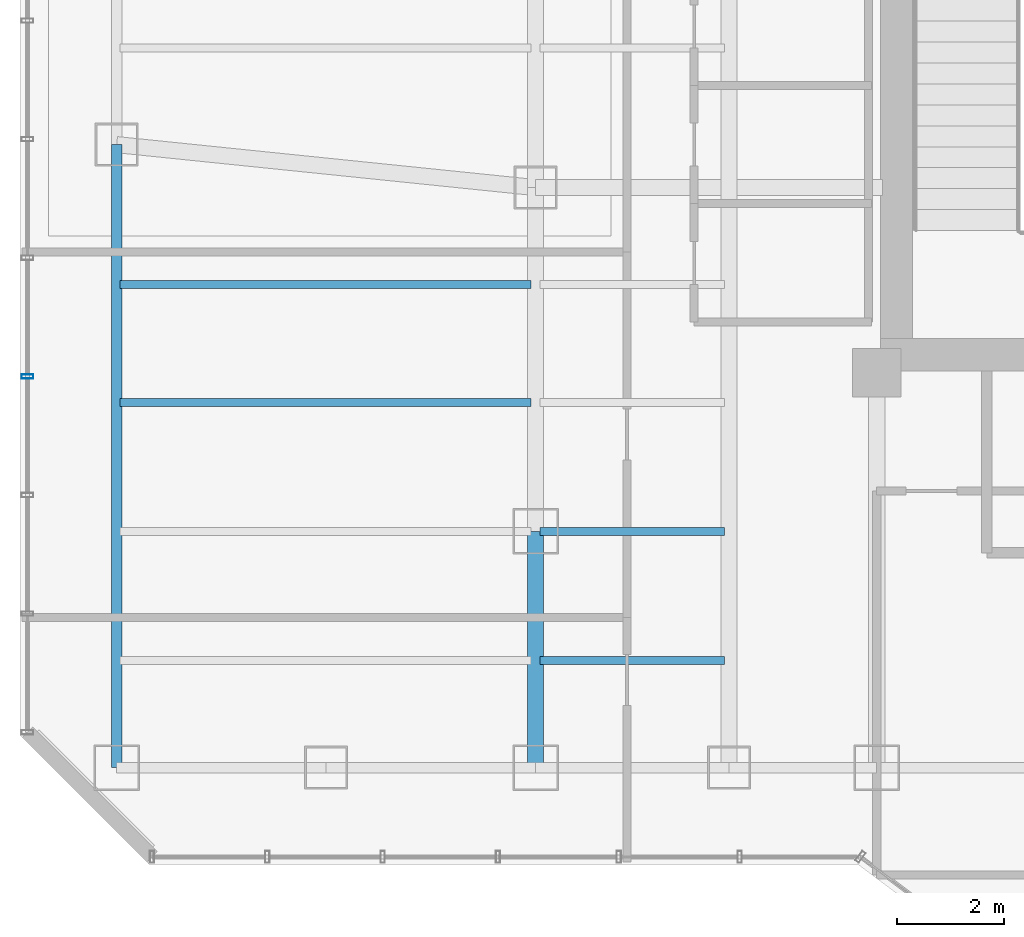
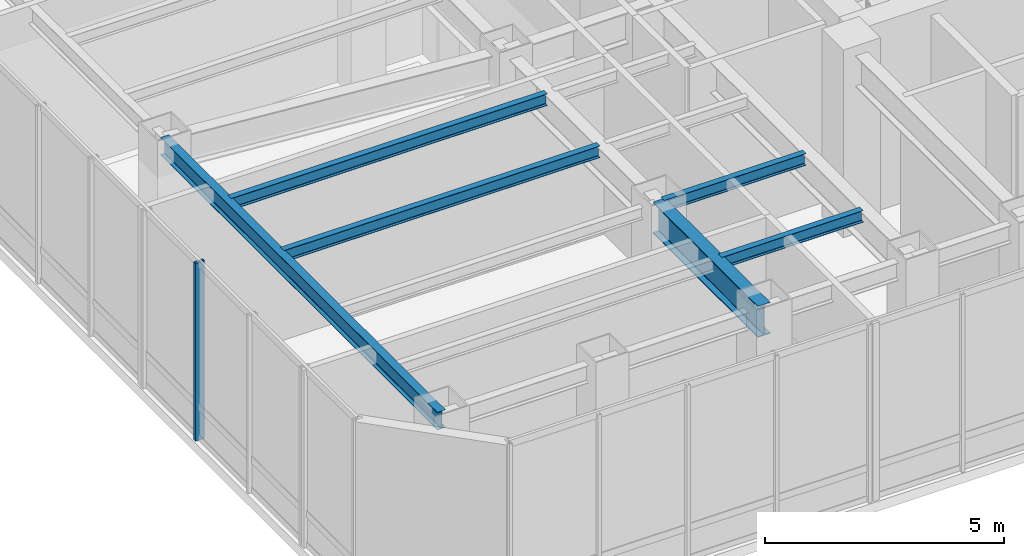
# One storey, part 6 of 30: 6 beams, 1 member, 1 element without a shape of its own.
"""IFC4 building model written with IfcOpenShell, lengths in metres."""

from ifc_helpers import new_model, si_unit, direction, frame, origin, origin_2d, place, context, subcontext, project, spatial, hollow_rectangle, i_section, extrude, material, layer, layer_set, material_profile, profile_set, type_object, element, aggregate, save


model = new_model("IFC4")

# Units and contexts
model_context = context("Model", 3, precision=1e-05, world=origin(), true_north=direction((0.0, 1.0)))
body_context = subcontext(model_context, "Body", "Model", "MODEL_VIEW")
ifc_project = project(units=[si_unit("LENGTHUNIT", "METRE"), si_unit("AREAUNIT", "SQUARE_METRE"), si_unit("VOLUMEUNIT", "CUBIC_METRE"), si_unit("PLANEANGLEUNIT", "RADIAN"), si_unit("MASSUNIT", "GRAM", prefix="KILO")], contexts=[model_context])

# Site, building, storey
site_placement = place(None, origin())
site = spatial("IfcSite", under=ifc_project, at=site_placement, CompositionType="ELEMENT")
building_placement = place(site_placement, origin())
building = spatial("IfcBuilding", under=site, at=building_placement, Name="Hatsunagi Terrace Concourse", CompositionType="ELEMENT")
storey_placement = place(building_placement, frame((0.0, 0.0, 130.050048828125)))
storey = spatial("IfcBuildingStorey", under=building, at=storey_placement, Name="L34", CompositionType="ELEMENT", Elevation=130.050048828125)

# Curtain wall, member
ifc_material_1 = material(Name="Anodised Aluminium Alloy 6063-T5", Category="aluminium")
ifc_layer = layer(ifc_material_1, 0.199951171875)
ifc_layer_set = layer_set([ifc_layer], Name="SkyLobbyAtrium_CW05")
curtain_wall_type = type_object("IfcCurtainWallType", Name="SkyLobbyAtrium_CW05", PredefinedType="NOTDEFINED", material=ifc_layer_set)
curtain_wall_placement = place(storey_placement, origin())
curtain_wall = element("IfcCurtainWall", 1, at=curtain_wall_placement, inside=storey, type_object=curtain_wall_type, Name="Unitised Curtain Wall CW-05 CW-L34-09", PredefinedType="NOTDEFINED")
ifc_material_2 = material(Name="Anodised Aluminium Alloy 6063-T5", Category="aluminium")
ifc_material_profile_1 = material_profile(ifc_material_2, hollow_rectangle(XDim=0.080078125, YDim=0.219970703125, WallThickness=0.0048828125, at=origin_2d()), Name="ALU-MUL-220x80x5")
ifc_profile_set_1 = profile_set([ifc_material_profile_1], Name="Anodised Aluminium Alloy 6063-T5")
member_type = type_object("IfcMemberType", Name="CurtainWallMullion_Heavy_220x80", PredefinedType="MULLION", material=ifc_profile_set_1)
member_placement = place(storey_placement, frame((9.739990234375, 32.48291015625, 0.0), z_axis=(0.0, 0.0, 1.0), x_axis=(0.0, 1.0, 0.0)))
member = element("IfcMember", 2, at=member_placement, type_object=member_type, Name="Curtain Wall Mullion MUL-01", PredefinedType="MULLION", context=body_context, shape_type="SweptSolid", body=[
    extrude(hollow_rectangle(XDim=0.080078125, YDim=0.219970703125, WallThickness=0.0048828125, at=origin_2d()), origin(), (0.0, 0.0, 1.0), 4.550048828125),
])
aggregate(curtain_wall, [member])

# Beams
ifc_material_3 = material(Name="Steel SN490B", Category="steel")
ifc_material_profile_2 = material_profile(ifc_material_3, i_section(OverallWidth=0.14990234375, OverallDepth=0.300048828125, WebThickness=0.006591796875, FlangeThickness=0.009033203125, FilletRadius=0.010986328125, at=origin_2d()), Name="H-300x150x6.5x9")
ifc_profile_set_2 = profile_set([ifc_material_profile_2], Name="Steel SN490B")
beam_type_1 = type_object("IfcBeamType", Name="OfficeJoist_H_300x150", PredefinedType="JOIST", material=ifc_profile_set_2)
for number, where, z_axis, x_axis, name in (
    (3, (19.284912109375, 27.199951171875, 4.39990234375), (1.0, 0.0, 0.0), (0.0, 1.0, 0.0), "Beam J-03 J-L34-W-19-272"),
    (4, (19.284912109375, 29.60009765625, 4.39990234375), (1.0, 0.0, 0.0), (0.0, 1.0, 0.0), "Beam J-03 J-L34-W-19-296"),
):
    element("IfcBeam", number, at=place(storey_placement, frame(where, z_axis=z_axis, x_axis=x_axis)), inside=storey, type_object=beam_type_1, Name=name, PredefinedType="JOIST", context=body_context, shape_type="SweptSolid", body=[
        extrude(i_section(OverallWidth=0.14990234375, OverallDepth=0.300048828125, WebThickness=0.006591796875, FlangeThickness=0.009033203125, FilletRadius=0.010986328125, at=origin_2d()), origin(), (0.0, 0.0, 1.0), 3.43017578125),
    ])
for number, where, z_axis, x_axis, name in (
    (5, (11.465087890625, 32.0, 4.39990234375), (1.0, 0.0, 0.0), (0.0, 1.0, 0.0), "Beam J-03 J-L34-W-11-320"),
    (6, (11.465087890625, 34.199951171875, 4.39990234375), (1.0, 0.0, 0.0), (0.0, 1.0, 0.0), "Beam J-03 J-L34-W-11-342"),
):
    element("IfcBeam", number, at=place(storey_placement, frame(where, z_axis=z_axis, x_axis=x_axis)), inside=storey, type_object=beam_type_1, Name=name, PredefinedType="JOIST", context=body_context, shape_type="SweptSolid", body=[
        extrude(i_section(OverallWidth=0.14990234375, OverallDepth=0.300048828125, WebThickness=0.006591796875, FlangeThickness=0.009033203125, FilletRadius=0.010986328125, at=origin_2d()), origin(), (0.0, 0.0, 1.0), 7.64990234375),
    ])
ifc_material_4 = material(Name="Steel SN490B", Category="steel")
ifc_material_profile_3 = material_profile(ifc_material_4, i_section(OverallWidth=0.199951171875, OverallDepth=0.449951171875, WebThickness=0.009033203125, FlangeThickness=0.013916015625, FilletRadius=0.01611328125, at=origin_2d()), Name="H-450x200x9x14")
ifc_profile_set_3 = profile_set([ifc_material_profile_3], Name="Steel SN490B")
beam_type_2 = type_object("IfcBeamType", Name="PerimeterSpandrel_H_450x200", PredefinedType="SPANDREL", material=ifc_profile_set_3)
beam_1_placement = place(storey_placement, frame((11.39990234375, 25.199951171875, 4.324951171875), z_axis=(0.0, 1.0, 0.0), x_axis=(-1.0, 0.0, 0.0)))
element("IfcBeam", 7, at=beam_1_placement, inside=storey, type_object=beam_type_2, Name="Beam SP-02 BM-L34-NS-11-25", PredefinedType="SPANDREL", context=body_context, shape_type="SweptSolid", body=[
    extrude(i_section(OverallWidth=0.199951171875, OverallDepth=0.449951171875, WebThickness=0.009033203125, FlangeThickness=0.013916015625, FilletRadius=0.01611328125, at=origin_2d()), origin(), (0.0, 0.0, 1.0), 11.60009765625),
])
ifc_material_5 = material(Name="Steel SN490B", Category="steel")
ifc_material_profile_4 = material_profile(ifc_material_5, i_section(OverallWidth=0.300048828125, OverallDepth=0.800048828125, WebThickness=0.013916015625, FlangeThickness=0.02587890625, FilletRadius=0.02197265625, at=origin_2d()), Name="H-800x300x14x26")
ifc_profile_set_4 = profile_set([ifc_material_profile_4], Name="Steel SN490B")
beam_type_3 = type_object("IfcBeamType", Name="SkyLobbyGirder_H_800x300", PredefinedType="BEAM", material=ifc_profile_set_4)
beam_2_placement = place(storey_placement, frame((19.199951171875, 25.199951171875, 4.14990234375), z_axis=(0.0, 1.0, 0.0), x_axis=(-1.0, 0.0, 0.0)))
element("IfcBeam", 8, at=beam_2_placement, inside=storey, type_object=beam_type_3, Name="Beam G-03 BM-L34-NS-19-25", PredefinedType="BEAM", context=body_context, shape_type="SweptSolid", body=[
    extrude(i_section(OverallWidth=0.300048828125, OverallDepth=0.800048828125, WebThickness=0.013916015625, FlangeThickness=0.02587890625, FilletRadius=0.02197265625, at=origin_2d()), origin(), (0.0, 0.0, 1.0), 4.400146484375),
])

save(model, "model.ifc")
